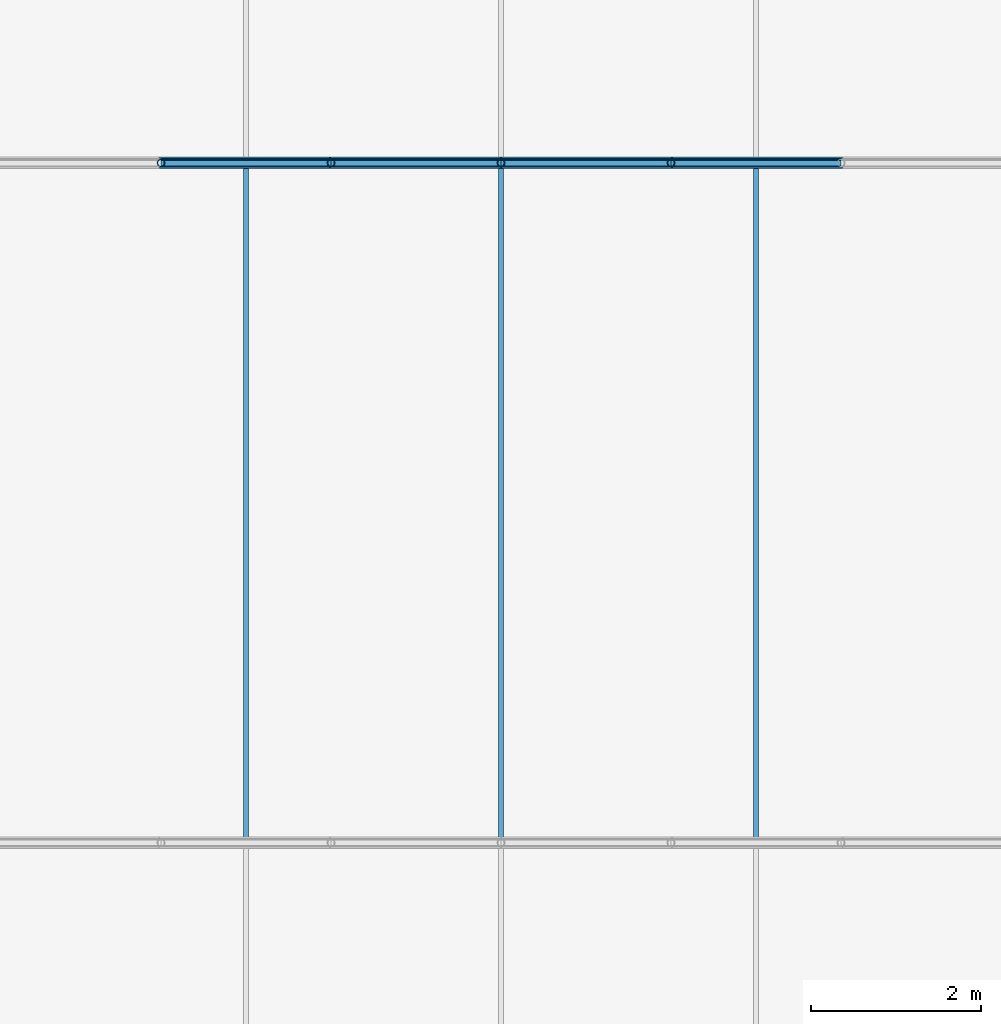
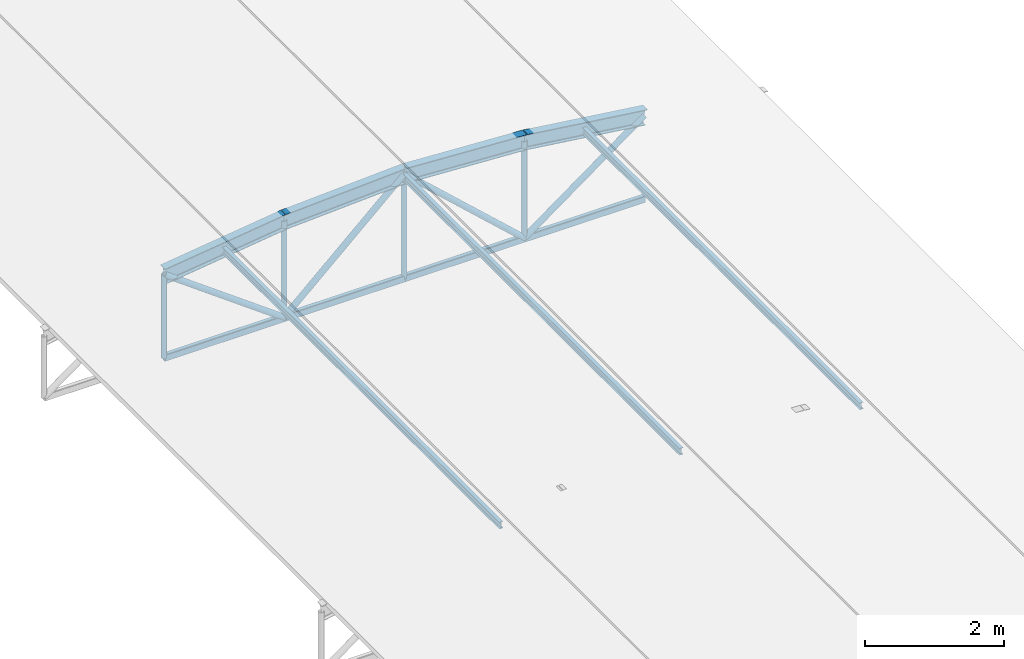
# One storey, part 40 of 54: 19 members.
"""IFC4 building model written with IfcOpenShell, lengths in metres."""

import ifcopenshell
import ifcopenshell.guid

model = None  # the IFC model being written
_history = None  # IfcOwnerHistory: only IFC2X3 demands one
_inside = {}  # id of a spatial element -> (the spatial element, [elements in it])
_under = {}  # id of a project, library or spatial element -> (it, [spatial elements below it])
_declared = {}  # id of a project -> (the project, [libraries it declares])
_typed = {}  # id of a type object -> (the type object, [elements of that type])
_made_of = {}  # id of a material, layer set ... -> (it, [elements and type objects made of it])


def new_model(schema):
    """Start an empty IFC model of exactly this schema.

    Asked for "IFC4X3", IfcOpenShell would pick the latest addendum, in which some entities
    have other attributes; the version numbers below select the first issue.
    IFC2X3 requires an IfcOwnerHistory on every rooted entity: one is made here for all.
    """
    global model, _history
    if schema == "IFC4X3":
        model = ifcopenshell.file(schema_version=(4, 3, 0, 0))
    else:
        model = ifcopenshell.file(schema=schema)
    _inside.clear()
    _under.clear()
    _declared.clear()
    _typed.clear()
    _made_of.clear()
    _history = None
    if model.schema == "IFC2X3":
        org = make("IfcOrganization", Name="unknown")
        user = make(
            "IfcPersonAndOrganization",
            ThePerson=make("IfcPerson", FamilyName="unknown"),
            TheOrganization=org,
        )
        app = make(
            "IfcApplication",
            ApplicationDeveloper=org,
            Version="unknown",
            ApplicationFullName="unknown",
            ApplicationIdentifier="unknown",
        )
        _history = make(
            "IfcOwnerHistory",
            OwningUser=user,
            OwningApplication=app,
            ChangeAction="ADDED",
            CreationDate=0,
        )
    return model


def make(cls, **values):
    """One entity of the class cls with the attributes given. An attribute that is None is left unset."""
    return model.create_entity(
        cls, **{name: value for name, value in values.items() if value is not None}
    )


def rooted(cls, **values):
    """An entity with a GlobalId (a new one), such as an element, a storey or a relation."""
    return make(cls, GlobalId=ifcopenshell.guid.new(), OwnerHistory=_history, **values)


def si_unit(unit_type, name, prefix=None):
    """IfcSIUnit, for example si_unit("LENGTHUNIT", "METRE", prefix="MILLI")."""
    return make("IfcSIUnit", UnitType=unit_type, Prefix=prefix, Name=name)


def derived_unit(unit_type, elements):
    """IfcDerivedUnit: a product of units, each with its exponent."""
    return make(
        "IfcDerivedUnit",
        Elements=[
            make("IfcDerivedUnitElement", Unit=unit, Exponent=power)
            for unit, power in elements
        ],
        UnitType=unit_type,
    )


def assignment(units):
    """IfcUnitAssignment: the units of a project."""
    return None if units is None else make("IfcUnitAssignment", Units=units)


def point(xyz):
    """IfcCartesianPoint."""
    return None if xyz is None else make("IfcCartesianPoint", Coordinates=xyz)


def direction(xyz):
    """IfcDirection."""
    return None if xyz is None else make("IfcDirection", DirectionRatios=xyz)


def frame(location, z_axis=None, x_axis=None):
    """IfcAxis2Placement3D, a coordinate frame: its origin and axes. An axis left out is left unset."""
    return make(
        "IfcAxis2Placement3D",
        Location=point(location),
        Axis=direction(z_axis),
        RefDirection=direction(x_axis),
    )


def frame_2d(location, x_axis=None):
    """IfcAxis2Placement2D, a coordinate frame in the plane: its origin and x axis."""
    return make(
        "IfcAxis2Placement2D", Location=point(location), RefDirection=direction(x_axis)
    )


def origin():
    """The frame at (0, 0, 0) with its axes left unset."""
    return frame((0.0, 0.0, 0.0))


def origin_2d():
    """The frame at (0, 0) in the plane with its x axis left unset."""
    return frame_2d((0.0, 0.0))


def place(relative_to, where):
    """IfcLocalPlacement: puts the frame where relative to a parent placement (None: the world)."""
    return make(
        "IfcLocalPlacement", PlacementRelTo=relative_to, RelativePlacement=where
    )


def context(
    kind, dimensions, precision=None, world=None, true_north=None, identifier=None
):
    """IfcGeometricRepresentationContext, for example the 3D "Model" context."""
    return make(
        "IfcGeometricRepresentationContext",
        ContextIdentifier=identifier,
        ContextType=kind,
        CoordinateSpaceDimension=dimensions,
        Precision=precision,
        WorldCoordinateSystem=world,
        TrueNorth=true_north,
    )


def subcontext(parent, identifier, kind, view, scale=None):
    """IfcGeometricRepresentationSubContext, for example "Body" below "Model"."""
    return make(
        "IfcGeometricRepresentationSubContext",
        ContextIdentifier=identifier,
        ContextType=kind,
        ParentContext=parent,
        TargetScale=scale,
        TargetView=view,
    )


def project(units=None, contexts=None):
    """IfcProject with its units and contexts."""
    return rooted(
        "IfcProject",
        Name="project",
        RepresentationContexts=contexts,
        UnitsInContext=assignment(units),
    )


def spatial(cls, under=None, at=None, **own):
    """A site, building, storey or space (cls), placed at a placement, below another one or the project."""
    s = rooted(cls, ObjectPlacement=at, **own)
    if under is not None:
        _under.setdefault(under.id(), (under, []))[1].append(s)
    return s


def profile(cls, at=None, kind="AREA", **sizes):
    """A parametric profile (cls). Its sizes go by their IFC names, for example OverallWidth=200.0."""
    return make(cls, ProfileType=kind, Position=at, **sizes)


def hollow_rectangle(**sizes):
    """IfcRectangleHollowProfileDef."""
    return profile("IfcRectangleHollowProfileDef", **sizes)


def hollow_circle(**sizes):
    """IfcCircleHollowProfileDef."""
    return profile("IfcCircleHollowProfileDef", **sizes)


def i_section(**sizes):
    """IfcIShapeProfileDef."""
    return profile("IfcIShapeProfileDef", **sizes)


def extrude(swept, where, along, depth):
    """IfcExtrudedAreaSolid: the profile swept, set in the frame where, extruded along a direction by depth."""
    return make(
        "IfcExtrudedAreaSolid",
        SweptArea=swept,
        Position=where,
        ExtrudedDirection=direction(along),
        Depth=depth,
    )


def shape(context_of_items, identifier, shape_type, items):
    """IfcShapeRepresentation: the items that make up one representation, for example the "Body"."""
    return make(
        "IfcShapeRepresentation",
        ContextOfItems=context_of_items,
        RepresentationIdentifier=identifier,
        RepresentationType=shape_type,
        Items=items,
    )


def material(Name=None, Category=None):
    """IfcMaterial."""
    return make("IfcMaterial", Name=Name, Category=Category)


def material_profile(
    of_material, cross_section, Name=None, Category=None, Priority=None
):
    """IfcMaterialProfile: a cross section and its material."""
    return make(
        "IfcMaterialProfile",
        Name=Name,
        Material=of_material,
        Profile=cross_section,
        Priority=Priority,
        Category=Category,
    )


def profile_set(profiles, Name=None, composite=None):
    """IfcMaterialProfileSet."""
    return make(
        "IfcMaterialProfileSet",
        Name=Name,
        MaterialProfiles=profiles,
        CompositeProfile=composite,
    )


def made_of(thing, what):
    """Note that an element or type object is made of a material, layer set ...; save() writes the relation."""
    if what is not None:
        _made_of.setdefault(what.id(), (what, []))[1].append(thing)
    return thing


def type_object(cls, material=None, **own):
    """A type object (cls), such as IfcWallType, which elements share."""
    return made_of(rooted(cls, **own), material)


def element(
    cls,
    number,
    at=None,
    inside=None,
    cuts=None,
    type_object=None,
    material=None,
    context=None,
    identifier="Body",
    shape_type=None,
    held_by="IfcProductDefinitionShape",
    body=None,
    shapes=None,
    **own,
):
    """One element of the class cls, such as IfcWall. Its Tag is "e" and its number.

    at: its placement. inside: the storey or other place that contains it. cuts: it is an
    opening in that element (IfcRelVoidsElement). A single representation is given by context,
    identifier, shape_type and body (its items); several are given by shapes. held_by: the class
    of the entity that holds the representations. save() writes the other relations.
    """
    e = rooted(cls, Tag="e%d" % number, ObjectPlacement=at, **own)
    if body is not None:
        shapes = [shape(context, identifier, shape_type, body)]
    if shapes is not None:
        e.Representation = make(held_by, Representations=shapes)
    if inside is not None:
        _inside.setdefault(inside.id(), (inside, []))[1].append(e)
    if cuts is not None:
        rooted(
            "IfcRelVoidsElement", RelatingBuildingElement=cuts, RelatedOpeningElement=e
        )
    if type_object is not None:
        _typed.setdefault(type_object.id(), (type_object, []))[1].append(e)
    return made_of(e, material)


def aggregate(whole, parts):
    """IfcRelAggregates: a whole, such as a stair, and the parts it consists of."""
    return rooted("IfcRelAggregates", RelatingObject=whole, RelatedObjects=parts)


def save(model, path):
    """Write the relations noted so far, then the file.

    IfcRelAggregates (storeys below a building ...), IfcRelContainedInSpatialStructure (elements
    in a storey), IfcRelDefinesByType, IfcRelAssociatesMaterial and IfcRelDeclares: one each for
    every whole, place, type object, material and project.
    """
    for whole, parts in _under.values():
        aggregate(whole, parts)
    for where, things in _inside.values():
        rooted(
            "IfcRelContainedInSpatialStructure",
            RelatedElements=things,
            RelatingStructure=where,
        )
    for kind, things in _typed.values():
        rooted("IfcRelDefinesByType", RelatedObjects=things, RelatingType=kind)
    for what, things in _made_of.values():
        rooted("IfcRelAssociatesMaterial", RelatedObjects=things, RelatingMaterial=what)
    for by, libraries in _declared.values():
        rooted("IfcRelDeclares", RelatingContext=by, RelatedDefinitions=libraries)
    model.write(path)


model = new_model("IFC4")

# Units and contexts
model_context = context("Model", 3, precision=1e-05, world=origin(), true_north=direction((0.0, 1.0)))
body_context = subcontext(model_context, "Body", "Model", "MODEL_VIEW")
ifc_project = project(units=[si_unit("LENGTHUNIT", "METRE"), si_unit("AREAUNIT", "SQUARE_METRE"), si_unit("VOLUMEUNIT", "CUBIC_METRE"), si_unit("PLANEANGLEUNIT", "RADIAN"), si_unit("MASSUNIT", "GRAM", prefix="KILO"), derived_unit("THERMALTRANSMITTANCEUNIT", [(si_unit("POWERUNIT", "WATT"), 1), (si_unit("LENGTHUNIT", "METRE"), -2), (si_unit("THERMODYNAMICTEMPERATUREUNIT", "KELVIN"), -1)])], contexts=[model_context])

# Site, building, storey
site_placement = place(None, origin())
site = spatial("IfcSite", under=ifc_project, at=site_placement, CompositionType="ELEMENT")
building_placement = place(site_placement, origin())
building = spatial("IfcBuilding", under=site, at=building_placement, Name="Keldorne Ridge Multi-Sports Centre", CompositionType="ELEMENT")
storey_placement = place(building_placement, frame((0.0, 0.0, 22.199951171875)))
storey = spatial("IfcBuildingStorey", under=building, at=storey_placement, Name="ROOF", CompositionType="ELEMENT", Elevation=22.199951171875)

# Members
ifc_material = material(Name="Steel S355", Category="steel")
ifc_material_profile_1 = material_profile(ifc_material, i_section(OverallWidth=0.06396484375, OverallDepth=0.1201171875, WebThickness=0.00439453125, FlangeThickness=0.00634765625, FilletRadius=0.007080078125, at=origin_2d()), Name="IPE 120")
ifc_profile_set_1 = profile_set([ifc_material_profile_1], Name="Steel S355")
member_type_1 = type_object("IfcMemberType", Name="MEM-PR-05", PredefinedType="PURLIN", material=ifc_profile_set_1)
for number, where, z_axis, x_axis, name in (
    (1, (87.0, 82.0, -12.179931640625), (0.0, 1.0, 0.0), (-1.0, 0.0, 0.0), "Public Passage canopy purlin 87.10"),
    (2, (90.0, 82.0, -11.929931640625), (0.0, 1.0, 0.0), (-1.0, 0.0, 0.0), "Public Passage canopy purlin 90.10"),
    (3, (93.0, 82.0, -12.179931640625), (0.0, 1.0, 0.0), (-1.0, 0.0, 0.0), "Public Passage canopy purlin 93.10"),
):
    element("IfcMember", number, at=place(storey_placement, frame(where, z_axis=z_axis, x_axis=x_axis)), inside=storey, type_object=member_type_1, Name=name, PredefinedType="PURLIN", context=body_context, shape_type="SweptSolid", body=[
        extrude(i_section(OverallWidth=0.06396484375, OverallDepth=0.1201171875, WebThickness=0.00439453125, FlangeThickness=0.00634765625, FilletRadius=0.007080078125, at=origin_2d()), origin(), (0.0, 0.0, 1.0), 8.0),
    ])
ifc_material_profile_2 = material_profile(ifc_material, i_section(OverallWidth=0.135009765625, OverallDepth=0.27001953125, WebThickness=0.006591796875, FlangeThickness=0.01025390625, FilletRadius=0.014892578125, at=origin_2d()), Name="IPE 270")
ifc_profile_set_2 = profile_set([ifc_material_profile_2], Name="Steel S355")
member_type_2 = type_object("IfcMemberType", Name="MEM-RF-02", PredefinedType="RAFTER", material=ifc_profile_set_2)
member_1_placement = place(storey_placement, frame((86.0, 90.0, -12.260009765625), z_axis=(0.991654998325, 0.0, 0.128919991848), x_axis=(0.0, 1.0, 0.0)))
element("IfcMember", 4, at=member_1_placement, inside=storey, type_object=member_type_2, Name="Public Passage bowstring arch top chord 11.2", PredefinedType="RAFTER", context=body_context, shape_type="SweptSolid", body=[
    extrude(i_section(OverallWidth=0.135009765625, OverallDepth=0.27001953125, WebThickness=0.006591796875, FlangeThickness=0.01025390625, FilletRadius=0.014892578125, at=origin_2d()), origin(), (0.0, 0.0, 1.0), 2.016845703125),
])
for number, where, z_axis, x_axis, name in (
    (5, (88.0, 90.0, -12.0), (0.998487980686, 0.0, 0.054970468663), (0.0, 1.0, 0.0), "Public Passage bowstring arch top chord 11.3"),
    (6, (90.0, 90.0, -11.889892578125), (0.998487980686, 0.0, -0.054970468663), (0.0, 1.0, 0.0), "Public Passage bowstring arch top chord 11.4"),
):
    element("IfcMember", number, at=place(storey_placement, frame(where, z_axis=z_axis, x_axis=x_axis)), inside=storey, type_object=member_type_2, Name=name, PredefinedType="RAFTER", context=body_context, shape_type="SweptSolid", body=[
        extrude(i_section(OverallWidth=0.135009765625, OverallDepth=0.27001953125, WebThickness=0.006591796875, FlangeThickness=0.01025390625, FilletRadius=0.014892578125, at=origin_2d()), origin(), (0.0, 0.0, 1.0), 2.0029296875),
    ])
member_2_placement = place(storey_placement, frame((92.0, 90.0, -12.0), z_axis=(0.991654998325, 0.0, -0.128919991848), x_axis=(0.0, 1.0, 0.0)))
element("IfcMember", 7, at=member_2_placement, inside=storey, type_object=member_type_2, Name="Public Passage bowstring arch top chord 11.5", PredefinedType="RAFTER", context=body_context, shape_type="SweptSolid", body=[
    extrude(i_section(OverallWidth=0.135009765625, OverallDepth=0.27001953125, WebThickness=0.006591796875, FlangeThickness=0.01025390625, FilletRadius=0.014892578125, at=origin_2d()), origin(), (0.0, 0.0, 1.0), 2.016845703125),
])
ifc_material_profile_3 = material_profile(ifc_material, hollow_rectangle(XDim=0.080078125, YDim=0.1201171875, WallThickness=0.008056640625, InnerFilletRadius=0.008056640625, OuterFilletRadius=0.01611328125, at=origin_2d()), Name="RHS 120x80x8")
ifc_profile_set_3 = profile_set([ifc_material_profile_3], Name="Steel S355")
member_type_3 = type_object("IfcMemberType", Name="MEM-TC-07", PredefinedType="CHORD", material=ifc_profile_set_3)
for number, where, z_axis, x_axis, name in (
    (8, (86.0, 90.0, -13.719970703125), (1.0, 0.0, 0.0), (0.0, 1.0, 0.0), "Public Passage bowstring tie chord 11.2"),
    (9, (88.0, 90.0, -13.719970703125), (1.0, 0.0, 0.0), (0.0, 1.0, 0.0), "Public Passage bowstring tie chord 11.3"),
    (10, (90.0, 90.0, -13.719970703125), (1.0, 0.0, 0.0), (0.0, 1.0, 0.0), "Public Passage bowstring tie chord 11.4"),
    (11, (92.0, 90.0, -13.719970703125), (1.0, 0.0, 0.0), (0.0, 1.0, 0.0), "Public Passage bowstring tie chord 11.5"),
):
    element("IfcMember", number, at=place(storey_placement, frame(where, z_axis=z_axis, x_axis=x_axis)), inside=storey, type_object=member_type_3, Name=name, PredefinedType="CHORD", context=body_context, shape_type="SweptSolid", body=[
        extrude(hollow_rectangle(XDim=0.080078125, YDim=0.1201171875, WallThickness=0.008056640625, InnerFilletRadius=0.008056640625, OuterFilletRadius=0.01611328125, at=origin_2d()), origin(), (0.0, 0.0, 1.0), 2.0),
    ])
ifc_material_profile_4 = material_profile(ifc_material, hollow_circle(Radius=0.05078125, WallThickness=0.00634765625, at=origin_2d()), Name="CHS 101.6x6.3")
ifc_profile_set_4 = profile_set([ifc_material_profile_4], Name="Steel S355")
member_type_4 = type_object("IfcMemberType", Name="MEM-TD-05", PredefinedType="BRACE", material=ifc_profile_set_4)
member_3_placement = place(storey_placement, frame((86.0, 90.0, -12.260009765625), z_axis=(0.8076945033, 0.0, -0.589601212125), x_axis=(0.0, 1.0, 0.0)))
element("IfcMember", 12, at=member_3_placement, inside=storey, type_object=member_type_4, Name="Public Passage bowstring web diagonal 11.2", PredefinedType="BRACE", context=body_context, shape_type="SweptSolid", body=[
    extrude(hollow_circle(Radius=0.05078125, WallThickness=0.00634765625, at=origin_2d()), origin(), (0.0, 0.0, 1.0), 2.47607421875),
])
for number, where, z_axis, x_axis, name in (
    (13, (88.0, 90.0, -13.719970703125), (0.737751969913, 0.0, 0.675071870907), (0.0, 1.0, 0.0), "Public Passage bowstring web diagonal 11.3"),
    (14, (90.0, 90.0, -11.889892578125), (0.737751969913, 0.0, -0.675071870907), (0.0, 1.0, 0.0), "Public Passage bowstring web diagonal 11.4"),
):
    element("IfcMember", number, at=place(storey_placement, frame(where, z_axis=z_axis, x_axis=x_axis)), inside=storey, type_object=member_type_4, Name=name, PredefinedType="BRACE", context=body_context, shape_type="SweptSolid", body=[
        extrude(hollow_circle(Radius=0.05078125, WallThickness=0.00634765625, at=origin_2d()), origin(), (0.0, 0.0, 1.0), 2.7109375),
    ])
member_4_placement = place(storey_placement, frame((92.0, 90.0, -13.719970703125), z_axis=(0.8076945033, 0.0, 0.589601212125), x_axis=(0.0, 1.0, 0.0)))
element("IfcMember", 15, at=member_4_placement, inside=storey, type_object=member_type_4, Name="Public Passage bowstring web diagonal 11.5", PredefinedType="BRACE", context=body_context, shape_type="SweptSolid", body=[
    extrude(hollow_circle(Radius=0.05078125, WallThickness=0.00634765625, at=origin_2d()), origin(), (0.0, 0.0, 1.0), 2.47607421875),
])
ifc_material_profile_5 = material_profile(ifc_material, hollow_circle(Radius=0.04443359375, WallThickness=0.0048828125, at=origin_2d()), Name="CHS 88.9x5")
ifc_profile_set_5 = profile_set([ifc_material_profile_5], Name="Steel S355")
member_type_5 = type_object("IfcMemberType", Name="MEM-TV-07", PredefinedType="STRUT", material=ifc_profile_set_5)
member_5_placement = place(storey_placement, frame((86.0, 90.0, -13.719970703125), z_axis=(0.0, 0.0, 1.0), x_axis=(1.0, 0.0, 0.0)))
element("IfcMember", 16, at=member_5_placement, inside=storey, type_object=member_type_5, Name="Public Passage bowstring hanger 11.2", PredefinedType="STRUT", context=body_context, shape_type="SweptSolid", body=[
    extrude(hollow_circle(Radius=0.04443359375, WallThickness=0.0048828125, at=origin_2d()), origin(), (0.0, 0.0, 1.0), 1.4599609375),
])
member_6_placement = place(storey_placement, frame((88.0, 90.0, -13.719970703125), z_axis=(0.0, 0.0, 1.0), x_axis=(1.0, 0.0, 0.0)))
element("IfcMember", 17, at=member_6_placement, inside=storey, type_object=member_type_5, Name="Public Passage bowstring hanger 11.3", PredefinedType="STRUT", context=body_context, shape_type="SweptSolid", body=[
    extrude(hollow_circle(Radius=0.04443359375, WallThickness=0.0048828125, at=origin_2d()), origin(), (0.0, 0.0, 1.0), 1.719970703125),
])
member_7_placement = place(storey_placement, frame((90.0, 90.0, -13.719970703125), z_axis=(0.0, 0.0, 1.0), x_axis=(1.0, 0.0, 0.0)))
element("IfcMember", 18, at=member_7_placement, inside=storey, type_object=member_type_5, Name="Public Passage bowstring hanger 11.4", PredefinedType="STRUT", context=body_context, shape_type="SweptSolid", body=[
    extrude(hollow_circle(Radius=0.04443359375, WallThickness=0.0048828125, at=origin_2d()), origin(), (0.0, 0.0, 1.0), 1.830078125),
])
member_8_placement = place(storey_placement, frame((92.0, 90.0, -13.719970703125), z_axis=(0.0, 0.0, 1.0), x_axis=(1.0, 0.0, 0.0)))
element("IfcMember", 19, at=member_8_placement, inside=storey, type_object=member_type_5, Name="Public Passage bowstring hanger 11.5", PredefinedType="STRUT", context=body_context, shape_type="SweptSolid", body=[
    extrude(hollow_circle(Radius=0.04443359375, WallThickness=0.0048828125, at=origin_2d()), origin(), (0.0, 0.0, 1.0), 1.719970703125),
])

save(model, "model.ifc")
